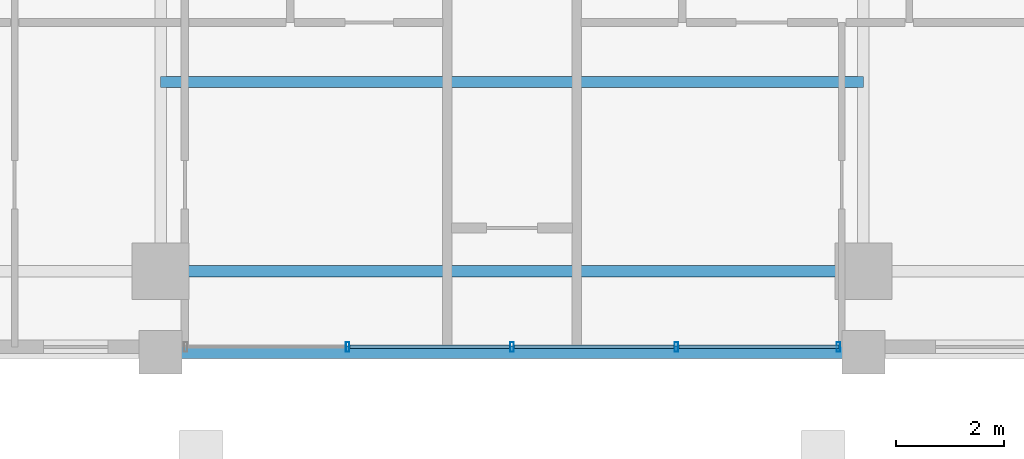
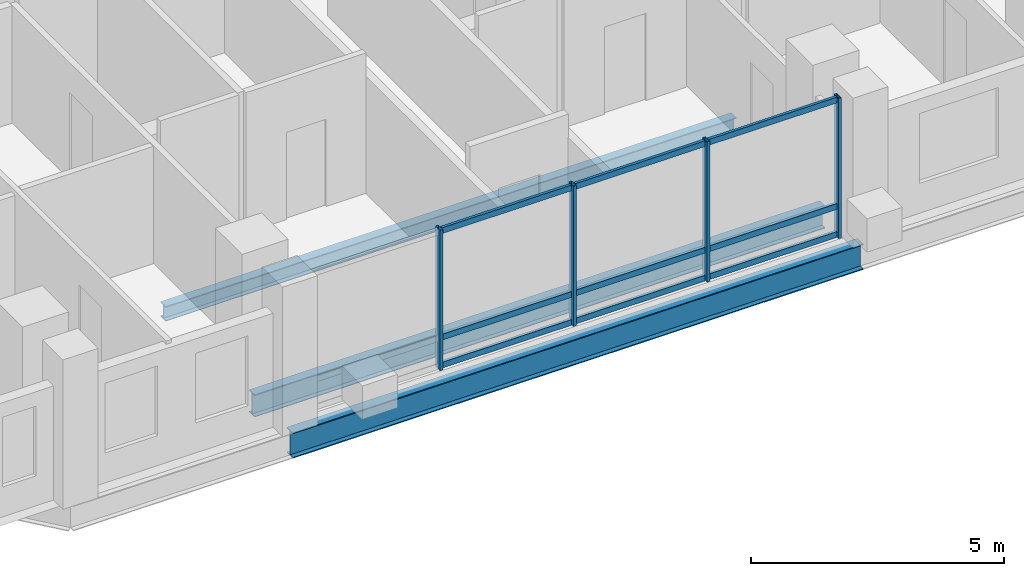
# One storey, part 4 of 24: 13 members, 3 beams, 1 element without a shape of its own.
"""IFC4 building model written with IfcOpenShell, lengths in metres."""

import ifcopenshell
import ifcopenshell.guid

model = None  # the IFC model being written
_history = None  # IfcOwnerHistory: only IFC2X3 demands one
_inside = {}  # id of a spatial element -> (the spatial element, [elements in it])
_under = {}  # id of a project, library or spatial element -> (it, [spatial elements below it])
_declared = {}  # id of a project -> (the project, [libraries it declares])
_typed = {}  # id of a type object -> (the type object, [elements of that type])
_made_of = {}  # id of a material, layer set ... -> (it, [elements and type objects made of it])


def new_model(schema):
    """Start an empty IFC model of exactly this schema.

    Asked for "IFC4X3", IfcOpenShell would pick the latest addendum, in which some entities
    have other attributes; the version numbers below select the first issue.
    IFC2X3 requires an IfcOwnerHistory on every rooted entity: one is made here for all.
    """
    global model, _history
    if schema == "IFC4X3":
        model = ifcopenshell.file(schema_version=(4, 3, 0, 0))
    else:
        model = ifcopenshell.file(schema=schema)
    _inside.clear()
    _under.clear()
    _declared.clear()
    _typed.clear()
    _made_of.clear()
    _history = None
    if model.schema == "IFC2X3":
        org = make("IfcOrganization", Name="unknown")
        user = make(
            "IfcPersonAndOrganization",
            ThePerson=make("IfcPerson", FamilyName="unknown"),
            TheOrganization=org,
        )
        app = make(
            "IfcApplication",
            ApplicationDeveloper=org,
            Version="unknown",
            ApplicationFullName="unknown",
            ApplicationIdentifier="unknown",
        )
        _history = make(
            "IfcOwnerHistory",
            OwningUser=user,
            OwningApplication=app,
            ChangeAction="ADDED",
            CreationDate=0,
        )
    return model


def make(cls, **values):
    """One entity of the class cls with the attributes given. An attribute that is None is left unset."""
    return model.create_entity(
        cls, **{name: value for name, value in values.items() if value is not None}
    )


def rooted(cls, **values):
    """An entity with a GlobalId (a new one), such as an element, a storey or a relation."""
    return make(cls, GlobalId=ifcopenshell.guid.new(), OwnerHistory=_history, **values)


def si_unit(unit_type, name, prefix=None):
    """IfcSIUnit, for example si_unit("LENGTHUNIT", "METRE", prefix="MILLI")."""
    return make("IfcSIUnit", UnitType=unit_type, Prefix=prefix, Name=name)


def assignment(units):
    """IfcUnitAssignment: the units of a project."""
    return None if units is None else make("IfcUnitAssignment", Units=units)


def point(xyz):
    """IfcCartesianPoint."""
    return None if xyz is None else make("IfcCartesianPoint", Coordinates=xyz)


def direction(xyz):
    """IfcDirection."""
    return None if xyz is None else make("IfcDirection", DirectionRatios=xyz)


def frame(location, z_axis=None, x_axis=None):
    """IfcAxis2Placement3D, a coordinate frame: its origin and axes. An axis left out is left unset."""
    return make(
        "IfcAxis2Placement3D",
        Location=point(location),
        Axis=direction(z_axis),
        RefDirection=direction(x_axis),
    )


def frame_2d(location, x_axis=None):
    """IfcAxis2Placement2D, a coordinate frame in the plane: its origin and x axis."""
    return make(
        "IfcAxis2Placement2D", Location=point(location), RefDirection=direction(x_axis)
    )


def origin():
    """The frame at (0, 0, 0) with its axes left unset."""
    return frame((0.0, 0.0, 0.0))


def origin_2d():
    """The frame at (0, 0) in the plane with its x axis left unset."""
    return frame_2d((0.0, 0.0))


def place(relative_to, where):
    """IfcLocalPlacement: puts the frame where relative to a parent placement (None: the world)."""
    return make(
        "IfcLocalPlacement", PlacementRelTo=relative_to, RelativePlacement=where
    )


def context(
    kind, dimensions, precision=None, world=None, true_north=None, identifier=None
):
    """IfcGeometricRepresentationContext, for example the 3D "Model" context."""
    return make(
        "IfcGeometricRepresentationContext",
        ContextIdentifier=identifier,
        ContextType=kind,
        CoordinateSpaceDimension=dimensions,
        Precision=precision,
        WorldCoordinateSystem=world,
        TrueNorth=true_north,
    )


def subcontext(parent, identifier, kind, view, scale=None):
    """IfcGeometricRepresentationSubContext, for example "Body" below "Model"."""
    return make(
        "IfcGeometricRepresentationSubContext",
        ContextIdentifier=identifier,
        ContextType=kind,
        ParentContext=parent,
        TargetScale=scale,
        TargetView=view,
    )


def project(units=None, contexts=None):
    """IfcProject with its units and contexts."""
    return rooted(
        "IfcProject",
        Name="project",
        RepresentationContexts=contexts,
        UnitsInContext=assignment(units),
    )


def spatial(cls, under=None, at=None, **own):
    """A site, building, storey or space (cls), placed at a placement, below another one or the project."""
    s = rooted(cls, ObjectPlacement=at, **own)
    if under is not None:
        _under.setdefault(under.id(), (under, []))[1].append(s)
    return s


def profile(cls, at=None, kind="AREA", **sizes):
    """A parametric profile (cls). Its sizes go by their IFC names, for example OverallWidth=200.0."""
    return make(cls, ProfileType=kind, Position=at, **sizes)


def hollow_rectangle(**sizes):
    """IfcRectangleHollowProfileDef."""
    return profile("IfcRectangleHollowProfileDef", **sizes)


def i_section(**sizes):
    """IfcIShapeProfileDef."""
    return profile("IfcIShapeProfileDef", **sizes)


def extrude(swept, where, along, depth):
    """IfcExtrudedAreaSolid: the profile swept, set in the frame where, extruded along a direction by depth."""
    return make(
        "IfcExtrudedAreaSolid",
        SweptArea=swept,
        Position=where,
        ExtrudedDirection=direction(along),
        Depth=depth,
    )


def shape(context_of_items, identifier, shape_type, items):
    """IfcShapeRepresentation: the items that make up one representation, for example the "Body"."""
    return make(
        "IfcShapeRepresentation",
        ContextOfItems=context_of_items,
        RepresentationIdentifier=identifier,
        RepresentationType=shape_type,
        Items=items,
    )


def material(Name=None, Category=None):
    """IfcMaterial."""
    return make("IfcMaterial", Name=Name, Category=Category)


def layer(
    of_material, thickness, ventilated=None, Name=None, Category=None, Priority=None
):
    """IfcMaterialLayer: one layer of a wall or slab, of a material (None: an air gap)."""
    return make(
        "IfcMaterialLayer",
        Material=of_material,
        LayerThickness=thickness,
        IsVentilated=ventilated,
        Name=Name,
        Category=Category,
        Priority=Priority,
    )


def layer_set(layers, Name=None):
    """IfcMaterialLayerSet."""
    return make("IfcMaterialLayerSet", MaterialLayers=layers, LayerSetName=Name)


def material_profile(
    of_material, cross_section, Name=None, Category=None, Priority=None
):
    """IfcMaterialProfile: a cross section and its material."""
    return make(
        "IfcMaterialProfile",
        Name=Name,
        Material=of_material,
        Profile=cross_section,
        Priority=Priority,
        Category=Category,
    )


def profile_set(profiles, Name=None, composite=None):
    """IfcMaterialProfileSet."""
    return make(
        "IfcMaterialProfileSet",
        Name=Name,
        MaterialProfiles=profiles,
        CompositeProfile=composite,
    )


def made_of(thing, what):
    """Note that an element or type object is made of a material, layer set ...; save() writes the relation."""
    if what is not None:
        _made_of.setdefault(what.id(), (what, []))[1].append(thing)
    return thing


def type_object(cls, material=None, **own):
    """A type object (cls), such as IfcWallType, which elements share."""
    return made_of(rooted(cls, **own), material)


def element(
    cls,
    number,
    at=None,
    inside=None,
    cuts=None,
    type_object=None,
    material=None,
    context=None,
    identifier="Body",
    shape_type=None,
    held_by="IfcProductDefinitionShape",
    body=None,
    shapes=None,
    **own,
):
    """One element of the class cls, such as IfcWall. Its Tag is "e" and its number.

    at: its placement. inside: the storey or other place that contains it. cuts: it is an
    opening in that element (IfcRelVoidsElement). A single representation is given by context,
    identifier, shape_type and body (its items); several are given by shapes. held_by: the class
    of the entity that holds the representations. save() writes the other relations.
    """
    e = rooted(cls, Tag="e%d" % number, ObjectPlacement=at, **own)
    if body is not None:
        shapes = [shape(context, identifier, shape_type, body)]
    if shapes is not None:
        e.Representation = make(held_by, Representations=shapes)
    if inside is not None:
        _inside.setdefault(inside.id(), (inside, []))[1].append(e)
    if cuts is not None:
        rooted(
            "IfcRelVoidsElement", RelatingBuildingElement=cuts, RelatedOpeningElement=e
        )
    if type_object is not None:
        _typed.setdefault(type_object.id(), (type_object, []))[1].append(e)
    return made_of(e, material)


def aggregate(whole, parts):
    """IfcRelAggregates: a whole, such as a stair, and the parts it consists of."""
    return rooted("IfcRelAggregates", RelatingObject=whole, RelatedObjects=parts)


def save(model, path):
    """Write the relations noted so far, then the file.

    IfcRelAggregates (storeys below a building ...), IfcRelContainedInSpatialStructure (elements
    in a storey), IfcRelDefinesByType, IfcRelAssociatesMaterial and IfcRelDeclares: one each for
    every whole, place, type object, material and project.
    """
    for whole, parts in _under.values():
        aggregate(whole, parts)
    for where, things in _inside.values():
        rooted(
            "IfcRelContainedInSpatialStructure",
            RelatedElements=things,
            RelatingStructure=where,
        )
    for kind, things in _typed.values():
        rooted("IfcRelDefinesByType", RelatedObjects=things, RelatingType=kind)
    for what, things in _made_of.values():
        rooted("IfcRelAssociatesMaterial", RelatedObjects=things, RelatingMaterial=what)
    for by, libraries in _declared.values():
        rooted("IfcRelDeclares", RelatingContext=by, RelatedDefinitions=libraries)
    model.write(path)


model = new_model("IFC4")

# Units and contexts
model_context = context("Model", 3, precision=1e-05, world=origin(), true_north=direction((0.0, 1.0)))
body_context = subcontext(model_context, "Body", "Model", "MODEL_VIEW")
ifc_project = project(units=[si_unit("LENGTHUNIT", "METRE"), si_unit("AREAUNIT", "SQUARE_METRE"), si_unit("VOLUMEUNIT", "CUBIC_METRE"), si_unit("PLANEANGLEUNIT", "RADIAN"), si_unit("MASSUNIT", "GRAM", prefix="KILO")], contexts=[model_context])

# Site, building, storey
site_placement = place(None, origin())
site = spatial("IfcSite", under=ifc_project, at=site_placement, CompositionType="ELEMENT")
building_placement = place(site_placement, origin())
building = spatial("IfcBuilding", under=site, at=building_placement, Name="Barlavira Tower and Art Museum", CompositionType="ELEMENT")
storey_placement = place(building_placement, frame((0.0, 0.0, 169.199951171875)))
storey = spatial("IfcBuildingStorey", under=building, at=storey_placement, Name="L43", CompositionType="ELEMENT", Elevation=169.199951171875)

# Curtain wall, members
ifc_material_1 = material(Name="Low-iron coastal laminated glass", Category="glass")
ifc_layer = layer(ifc_material_1, 0.199951171875, Name="Low-iron coastal laminated glass")
ifc_layer_set = layer_set([ifc_layer], Name="Low-iron coastal laminated glass")
curtain_wall_type = type_object("IfcCurtainWallType", Name="Pale-Metal Unitised Curtain Wall Zone 3", PredefinedType="NOTDEFINED", material=ifc_layer_set)
curtain_wall_placement = place(storey_placement, origin())
curtain_wall = element("IfcCurtainWall", 1, at=curtain_wall_placement, inside=storey, type_object=curtain_wall_type, Name="L43 Curtain Wall CW3-L43-S-B3", PredefinedType="NOTDEFINED")
ifc_material_2 = material(Name="Pale anodised aluminium", Category="aluminium")
ifc_material_profile_1 = material_profile(ifc_material_2, hollow_rectangle(XDim=0.06494140625, YDim=0.179931640625, WallThickness=0.00390625, at=origin_2d()), Name="ALU-MULL 65x180x4")
ifc_profile_set_1 = profile_set([ifc_material_profile_1], Name="Pale anodised aluminium")
member_type_1 = type_object("IfcMemberType", Name="Curtain Wall Pale-Metal Mullion 65x180", PredefinedType="MULLION", material=ifc_profile_set_1)
member_1_placement = place(storey_placement, frame((-3.0400390625, -21.39990234375, 0.0), z_axis=(0.0, 0.0, 1.0), x_axis=(1.0, 0.0, 0.0)))
member_1 = element("IfcMember", 2, at=member_1_placement, type_object=member_type_1, Name="CW3-L43-S-B3 Mullion 1", PredefinedType="MULLION", context=body_context, shape_type="SweptSolid", body=[
    extrude(hollow_rectangle(XDim=0.06494140625, YDim=0.179931640625, WallThickness=0.00390625, at=origin_2d()), origin(), (0.0, 0.0, 1.0), 3.380126953125),
])
member_2_placement = place(storey_placement, frame((0.0, -21.39990234375, 0.0), z_axis=(0.0, 0.0, 1.0), x_axis=(1.0, 0.0, 0.0)))
member_2 = element("IfcMember", 3, at=member_2_placement, type_object=member_type_1, Name="CW3-L43-S-B3 Mullion 2", PredefinedType="MULLION", context=body_context, shape_type="SweptSolid", body=[
    extrude(hollow_rectangle(XDim=0.06494140625, YDim=0.179931640625, WallThickness=0.00390625, at=origin_2d()), origin(), (0.0, 0.0, 1.0), 3.380126953125),
])
member_3_placement = place(storey_placement, frame((3.0400390625, -21.39990234375, 0.0), z_axis=(0.0, 0.0, 1.0), x_axis=(1.0, 0.0, 0.0)))
member_3 = element("IfcMember", 4, at=member_3_placement, type_object=member_type_1, Name="CW3-L43-S-B3 Mullion 3", PredefinedType="MULLION", context=body_context, shape_type="SweptSolid", body=[
    extrude(hollow_rectangle(XDim=0.06494140625, YDim=0.179931640625, WallThickness=0.00390625, at=origin_2d()), origin(), (0.0, 0.0, 1.0), 3.380126953125),
])
member_4_placement = place(storey_placement, frame((6.034912109375, -21.39990234375, 0.0), z_axis=(0.0, 0.0, 1.0), x_axis=(1.0, 0.0, 0.0)))
member_4 = element("IfcMember", 5, at=member_4_placement, type_object=member_type_1, Name="CW3-L43-S-B3 Mullion 4", PredefinedType="MULLION", context=body_context, shape_type="SweptSolid", body=[
    extrude(hollow_rectangle(XDim=0.06494140625, YDim=0.179931640625, WallThickness=0.00390625, at=origin_2d()), origin(), (0.0, 0.0, 1.0), 3.380126953125),
])
ifc_material_profile_2 = material_profile(ifc_material_2, hollow_rectangle(XDim=0.06494140625, YDim=0.139892578125, WallThickness=0.00390625, at=origin_2d()), Name="ALU-TRAN 65x140x4")
ifc_profile_set_2 = profile_set([ifc_material_profile_2], Name="Pale anodised aluminium")
member_type_2 = type_object("IfcMemberType", Name="Curtain Wall Pale-Metal Transom 65x140", PredefinedType="USERDEFINED", material=ifc_profile_set_2)
member_5_placement = place(storey_placement, frame((-2.9951171875, -21.39990234375, 0.070068359375), z_axis=(1.0, 0.0, 0.0), x_axis=(0.0, 1.0, 0.0)))
member_5 = element("IfcMember", 6, at=member_5_placement, type_object=member_type_2, Name="CW3-L43-S-B3 Transom 1.1", ObjectType="TRANSOM", PredefinedType="USERDEFINED", context=body_context, shape_type="SweptSolid", body=[
    extrude(hollow_rectangle(XDim=0.06494140625, YDim=0.139892578125, WallThickness=0.00390625, at=origin_2d()), origin(), (0.0, 0.0, 1.0), 2.9501953125),
])
member_6_placement = place(storey_placement, frame((-2.9951171875, -21.39990234375, 0.744140625), z_axis=(1.0, 0.0, 0.0), x_axis=(0.0, 1.0, 0.0)))
member_6 = element("IfcMember", 7, at=member_6_placement, type_object=member_type_2, Name="CW3-L43-S-B3 Transom 1.2", ObjectType="TRANSOM", PredefinedType="USERDEFINED", context=body_context, shape_type="SweptSolid", body=[
    extrude(hollow_rectangle(XDim=0.06494140625, YDim=0.139892578125, WallThickness=0.00390625, at=origin_2d()), origin(), (0.0, 0.0, 1.0), 2.9501953125),
])
member_7_placement = place(storey_placement, frame((-2.9951171875, -21.39990234375, 3.31005859375), z_axis=(1.0, 0.0, 0.0), x_axis=(0.0, 1.0, 0.0)))
member_7 = element("IfcMember", 8, at=member_7_placement, type_object=member_type_2, Name="CW3-L43-S-B3 Transom 1.3", ObjectType="TRANSOM", PredefinedType="USERDEFINED", context=body_context, shape_type="SweptSolid", body=[
    extrude(hollow_rectangle(XDim=0.06494140625, YDim=0.139892578125, WallThickness=0.00390625, at=origin_2d()), origin(), (0.0, 0.0, 1.0), 2.9501953125),
])
member_8_placement = place(storey_placement, frame((0.044921875, -21.39990234375, 0.070068359375), z_axis=(1.0, 0.0, 0.0), x_axis=(0.0, 1.0, 0.0)))
member_8 = element("IfcMember", 9, at=member_8_placement, type_object=member_type_2, Name="CW3-L43-S-B3 Transom 2.1", ObjectType="TRANSOM", PredefinedType="USERDEFINED", context=body_context, shape_type="SweptSolid", body=[
    extrude(hollow_rectangle(XDim=0.06494140625, YDim=0.139892578125, WallThickness=0.00390625, at=origin_2d()), origin(), (0.0, 0.0, 1.0), 2.9501953125),
])
member_9_placement = place(storey_placement, frame((0.044921875, -21.39990234375, 0.744140625), z_axis=(1.0, 0.0, 0.0), x_axis=(0.0, 1.0, 0.0)))
member_9 = element("IfcMember", 10, at=member_9_placement, type_object=member_type_2, Name="CW3-L43-S-B3 Transom 2.2", ObjectType="TRANSOM", PredefinedType="USERDEFINED", context=body_context, shape_type="SweptSolid", body=[
    extrude(hollow_rectangle(XDim=0.06494140625, YDim=0.139892578125, WallThickness=0.00390625, at=origin_2d()), origin(), (0.0, 0.0, 1.0), 2.9501953125),
])
member_10_placement = place(storey_placement, frame((0.044921875, -21.39990234375, 3.31005859375), z_axis=(1.0, 0.0, 0.0), x_axis=(0.0, 1.0, 0.0)))
member_10 = element("IfcMember", 11, at=member_10_placement, type_object=member_type_2, Name="CW3-L43-S-B3 Transom 2.3", ObjectType="TRANSOM", PredefinedType="USERDEFINED", context=body_context, shape_type="SweptSolid", body=[
    extrude(hollow_rectangle(XDim=0.06494140625, YDim=0.139892578125, WallThickness=0.00390625, at=origin_2d()), origin(), (0.0, 0.0, 1.0), 2.9501953125),
])
member_11_placement = place(storey_placement, frame((3.0849609375, -21.39990234375, 0.070068359375), z_axis=(1.0, 0.0, 0.0), x_axis=(0.0, 1.0, 0.0)))
member_11 = element("IfcMember", 12, at=member_11_placement, type_object=member_type_2, Name="CW3-L43-S-B3 Transom 3.1", ObjectType="TRANSOM", PredefinedType="USERDEFINED", context=body_context, shape_type="SweptSolid", body=[
    extrude(hollow_rectangle(XDim=0.06494140625, YDim=0.139892578125, WallThickness=0.00390625, at=origin_2d()), origin(), (0.0, 0.0, 1.0), 2.949951171875),
])
member_12_placement = place(storey_placement, frame((3.0849609375, -21.39990234375, 0.744140625), z_axis=(1.0, 0.0, 0.0), x_axis=(0.0, 1.0, 0.0)))
member_12 = element("IfcMember", 13, at=member_12_placement, type_object=member_type_2, Name="CW3-L43-S-B3 Transom 3.2", ObjectType="TRANSOM", PredefinedType="USERDEFINED", context=body_context, shape_type="SweptSolid", body=[
    extrude(hollow_rectangle(XDim=0.06494140625, YDim=0.139892578125, WallThickness=0.00390625, at=origin_2d()), origin(), (0.0, 0.0, 1.0), 2.949951171875),
])
member_13_placement = place(storey_placement, frame((3.0849609375, -21.39990234375, 3.31005859375), z_axis=(1.0, 0.0, 0.0), x_axis=(0.0, 1.0, 0.0)))
member_13 = element("IfcMember", 14, at=member_13_placement, type_object=member_type_2, Name="CW3-L43-S-B3 Transom 3.3", ObjectType="TRANSOM", PredefinedType="USERDEFINED", context=body_context, shape_type="SweptSolid", body=[
    extrude(hollow_rectangle(XDim=0.06494140625, YDim=0.139892578125, WallThickness=0.00390625, at=origin_2d()), origin(), (0.0, 0.0, 1.0), 2.949951171875),
])
aggregate(curtain_wall, [member_1, member_2, member_3, member_4, member_5, member_6, member_7, member_8, member_9, member_10, member_11, member_12, member_13])

# Beams
ifc_material_3 = material(Name="Steel S355", Category="steel")
ifc_material_profile_3 = material_profile(ifc_material_3, i_section(OverallWidth=0.22998046875, OverallDepth=0.616943359375, WebThickness=0.01318359375, FlangeThickness=0.022216796875, at=origin_2d()), Name="W610x140.0")
ifc_profile_set_3 = profile_set([ifc_material_profile_3], Name="Steel S355")
beam_type_1 = type_object("IfcBeamType", Name="Upper Shaft Spandrel Edge Beam W610x140 Steel S355", PredefinedType="SPANDREL", material=ifc_profile_set_3)
beam_1_placement = place(storey_placement, frame((-6.5, -21.5, -0.528564453125), z_axis=(1.0, 0.0, 0.0), x_axis=(0.0, 1.0, 0.0)))
element("IfcBeam", 15, at=beam_1_placement, inside=storey, type_object=beam_type_1, Name="L43 Spandrel 2", PredefinedType="SPANDREL", context=body_context, shape_type="SweptSolid", body=[
    extrude(i_section(OverallWidth=0.22998046875, OverallDepth=0.616943359375, WebThickness=0.01318359375, FlangeThickness=0.022216796875, at=origin_2d()), origin(), (0.0, 0.0, 1.0), 13.0),
])
ifc_material_profile_4 = material_profile(ifc_material_3, i_section(OverallWidth=0.205078125, OverallDepth=0.35400390625, WebThickness=0.009521484375, FlangeThickness=0.016845703125, at=origin_2d()), Name="W360x79.0")
ifc_profile_set_4 = profile_set([ifc_material_profile_4], Name="Steel S355")
beam_type_2 = type_object("IfcBeamType", Name="Zone 3 Composite Floor Joist W360x79 Steel S355", PredefinedType="JOIST", material=ifc_profile_set_4)
beam_2_placement = place(storey_placement, frame((-6.5, -16.5, -0.39697265625), z_axis=(1.0, 0.0, 0.0), x_axis=(0.0, 1.0, 0.0)))
element("IfcBeam", 16, at=beam_2_placement, inside=storey, type_object=beam_type_2, Name="L43 Joist C1", PredefinedType="JOIST", context=body_context, shape_type="SweptSolid", body=[
    extrude(i_section(OverallWidth=0.205078125, OverallDepth=0.35400390625, WebThickness=0.009521484375, FlangeThickness=0.016845703125, at=origin_2d()), origin(), (0.0, 0.0, 1.0), 13.0),
])
ifc_material_profile_5 = material_profile(ifc_material_3, i_section(OverallWidth=0.2109375, OverallDepth=0.5390625, WebThickness=0.01171875, FlangeThickness=0.018798828125, at=origin_2d()), Name="W530x109.0")
ifc_profile_set_5 = profile_set([ifc_material_profile_5], Name="Steel S355")
beam_type_3 = type_object("IfcBeamType", Name="Zone 3-4 Primary Floor Girder W530x109 Steel S355", PredefinedType="BEAM", material=ifc_profile_set_5)
beam_3_placement = place(storey_placement, frame((-6.5, -20.0, -0.489501953125), z_axis=(1.0, 0.0, 0.0), x_axis=(0.0, 1.0, 0.0)))
element("IfcBeam", 17, at=beam_3_placement, inside=storey, type_object=beam_type_3, Name="L43 Girder M-S2", PredefinedType="BEAM", context=body_context, shape_type="SweptSolid", body=[
    extrude(i_section(OverallWidth=0.2109375, OverallDepth=0.5390625, WebThickness=0.01171875, FlangeThickness=0.018798828125, at=origin_2d()), origin(), (0.0, 0.0, 1.0), 13.0),
])

save(model, "model.ifc")
